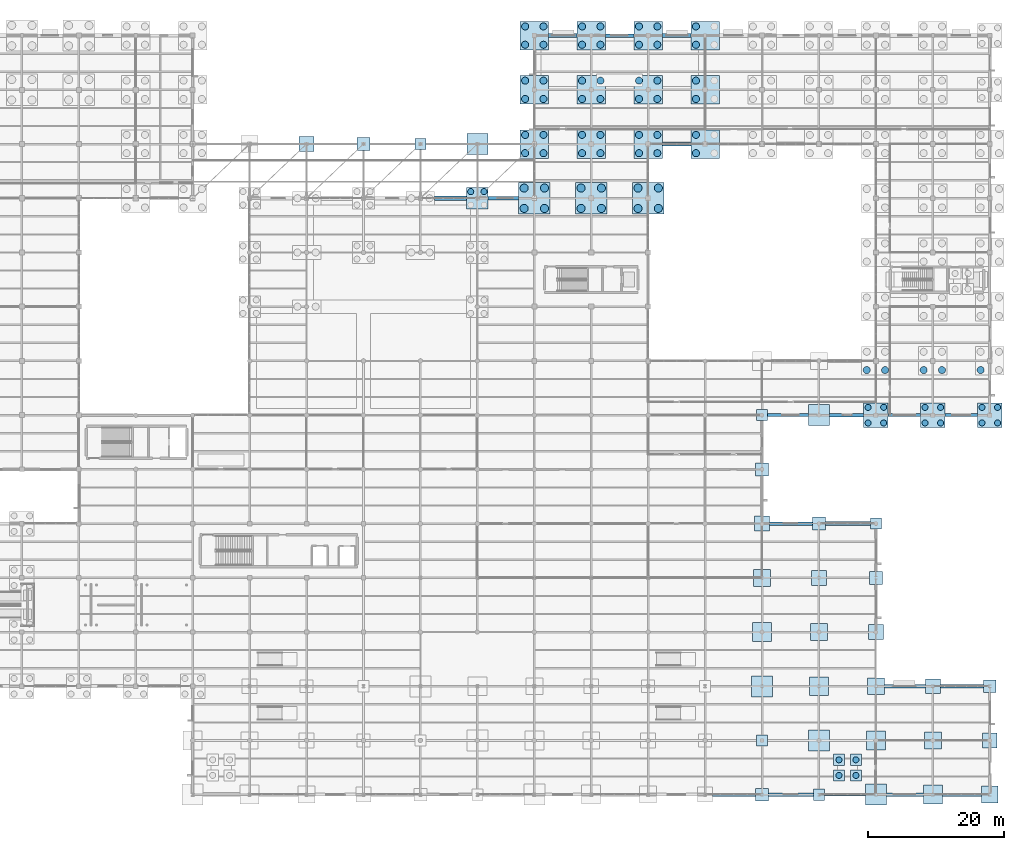
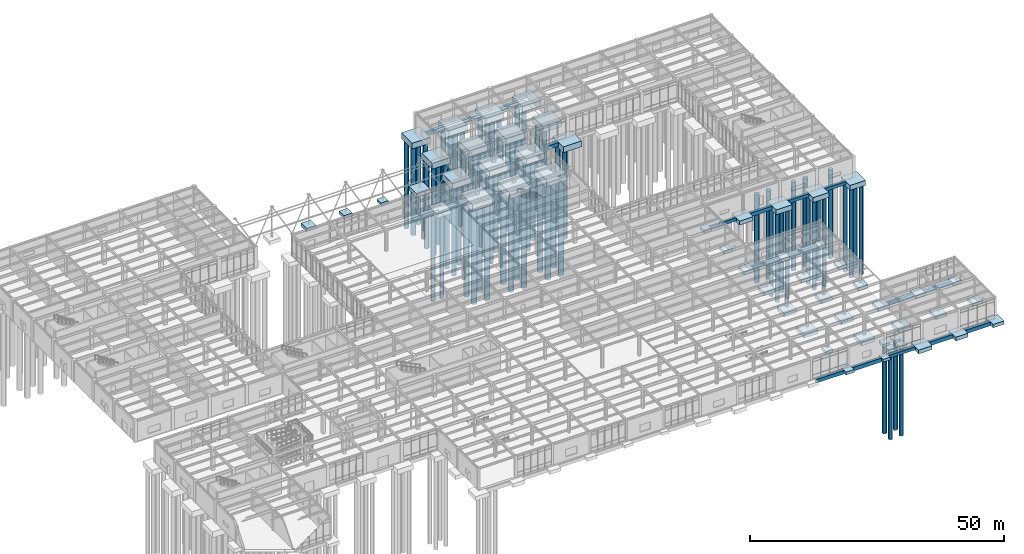
# One storey, part 3 of 138: 77 piles, 73 footings.
"""IFC4 building model written with IfcOpenShell, lengths in metres."""

from ifc_helpers import new_model, si_unit, direction, frame, origin, origin_2d, place, context, subcontext, project, spatial, rectangle, circle, extrude, material, material_profile, profile_set, type_object, element, save


model = new_model("IFC4")

# Units and contexts
model_context = context("Model", 3, precision=1e-05, world=origin(), true_north=direction((0.0, 1.0)))
body_context = subcontext(model_context, "Body", "Model", "MODEL_VIEW")
ifc_project = project(units=[si_unit("LENGTHUNIT", "METRE"), si_unit("AREAUNIT", "SQUARE_METRE"), si_unit("VOLUMEUNIT", "CUBIC_METRE"), si_unit("PLANEANGLEUNIT", "RADIAN"), si_unit("MASSUNIT", "GRAM", prefix="KILO")], contexts=[model_context])

# Site, building, storey
site_placement = place(None, origin())
site = spatial("IfcSite", under=ifc_project, at=site_placement, CompositionType="ELEMENT")
building_placement = place(site_placement, origin())
building = spatial("IfcBuilding", under=site, at=building_placement, Name="Kranzveld Transit Interchange", CompositionType="ELEMENT")
storey_placement = place(building_placement, origin())
storey = spatial("IfcBuildingStorey", under=building, at=storey_placement, Name="L00", CompositionType="ELEMENT", Elevation=0.0)

# Footings
ifc_material_1 = material(Name="Concrete C40/50", Category="concrete")
ifc_material_profile_1 = material_profile(ifc_material_1, rectangle(XDim=0.449951171875, YDim=0.75, at=origin_2d()), Name="RC 450x750")
ifc_profile_set_1 = profile_set([ifc_material_profile_1], Name="Concrete C40/50")
footing_type_1 = type_object("IfcFootingType", Name="Footing Beam 450x750 C40/50", PredefinedType="FOOTING_BEAM", material=ifc_profile_set_1)
for number, where, z_axis, x_axis, name in (
    (1, (135.22509765625, 56.0, -0.794921875), (1.0, 0.0, 0.0), (0.0, 1.0, 0.0), "Ground Tie Beam 17-18/H"),
    (2, (143.625, 0.0, -0.794921875), (1.0, 0.0, 0.0), (0.0, 1.0, 0.0), "Ground Tie Beam 18-19/A"),
):
    element("IfcFooting", number, at=place(storey_placement, frame(where, z_axis=z_axis, x_axis=x_axis)), inside=storey, type_object=footing_type_1, Name=name, PredefinedType="FOOTING_BEAM", context=body_context, shape_type="SweptSolid", body=[
        extrude(rectangle(XDim=0.449951171875, YDim=0.75, at=origin_2d()), origin(), (0.0, 0.0, 1.0), 6.02490234375),
    ])
for number, where, z_axis, x_axis, name in (
    (3, (153.0, 56.0, -0.794921875), (1.0, 0.0, 0.0), (0.0, 1.0, 0.0), "Ground Tie Beam 19-20/H"),
    (4, (161.39990234375, 56.0, -0.794921875), (1.0, 0.0, 0.0), (0.0, 1.0, 0.0), "Ground Tie Beam 20-21/H"),
):
    element("IfcFooting", number, at=place(storey_placement, frame(where, z_axis=z_axis, x_axis=x_axis)), inside=storey, type_object=footing_type_1, Name=name, PredefinedType="FOOTING_BEAM", context=body_context, shape_type="SweptSolid", body=[
        extrude(rectangle(XDim=0.449951171875, YDim=0.75, at=origin_2d()), origin(), (0.0, 0.0, 1.0), 4.800048828125),
    ])
ifc_material_2 = material(Name="Concrete C40/50", Category="concrete")
ifc_material_profile_2 = material_profile(ifc_material_2, rectangle(XDim=0.5, YDim=0.85009765625, at=origin_2d()), Name="RC 500x850")
ifc_profile_set_2 = profile_set([ifc_material_profile_2], Name="Concrete C40/50")
footing_type_2 = type_object("IfcFootingType", Name="Footing Beam 500x850 C40/50", PredefinedType="FOOTING_BEAM", material=ifc_profile_set_2)
footing_1_placement = place(storey_placement, frame((94.0, 88.0, -0.844970703125), z_axis=(1.0, 0.0, 0.0), x_axis=(0.0, 1.0, 0.0)))
element("IfcFooting", 5, at=footing_1_placement, inside=storey, type_object=footing_type_2, Name="Ground Tie Beam 12-13/M", PredefinedType="FOOTING_BEAM", context=body_context, shape_type="SweptSolid", body=[
    extrude(rectangle(XDim=0.5, YDim=0.85009765625, at=origin_2d()), origin(), (0.0, 0.0, 1.0), 4.5),
])
footing_2_placement = place(storey_placement, frame((111.300048828125, 112.0, -0.844970703125), z_axis=(1.0, 0.0, 0.0), x_axis=(0.0, 1.0, 0.0)))
element("IfcFooting", 6, at=footing_2_placement, inside=storey, type_object=footing_type_2, Name="Ground Tie Beam 14-15/Q", PredefinedType="FOOTING_BEAM", context=body_context, shape_type="SweptSolid", body=[
    extrude(rectangle(XDim=0.5, YDim=0.85009765625, at=origin_2d()), origin(), (0.0, 0.0, 1.0), 4.199951171875),
])
footing_3_placement = place(storey_placement, frame((127.10009765625, 0.0, -0.844970703125), z_axis=(1.0, 0.0, 0.0), x_axis=(0.0, 1.0, 0.0)))
element("IfcFooting", 7, at=footing_3_placement, inside=storey, type_object=footing_type_2, Name="Ground Tie Beam 16-17/A", PredefinedType="FOOTING_BEAM", context=body_context, shape_type="SweptSolid", body=[
    extrude(rectangle(XDim=0.5, YDim=0.85009765625, at=origin_2d()), origin(), (0.0, 0.0, 1.0), 6.349853515625),
])
footing_4_placement = place(storey_placement, frame((135.5, 40.0, -0.844970703125), z_axis=(1.0, 0.0, 0.0), x_axis=(0.0, 1.0, 0.0)))
element("IfcFooting", 8, at=footing_4_placement, inside=storey, type_object=footing_type_2, Name="Ground Tie Beam 17-18/F", PredefinedType="FOOTING_BEAM", context=body_context, shape_type="SweptSolid", body=[
    extrude(rectangle(XDim=0.5, YDim=0.85009765625, at=origin_2d()), origin(), (0.0, 0.0, 1.0), 6.35009765625),
])
footing_5_placement = place(storey_placement, frame((152.449951171875, 16.0, -0.844970703125), z_axis=(1.0, 0.0, 0.0), x_axis=(0.0, 1.0, 0.0)))
element("IfcFooting", 9, at=footing_5_placement, inside=storey, type_object=footing_type_2, Name="Ground Tie Beam 19-20/C", PredefinedType="FOOTING_BEAM", context=body_context, shape_type="SweptSolid", body=[
    extrude(rectangle(XDim=0.5, YDim=0.85009765625, at=origin_2d()), origin(), (0.0, 0.0, 1.0), 6.050048828125),
])
footing_6_placement = place(storey_placement, frame((160.699951171875, 16.0, -0.844970703125), z_axis=(1.0, 0.0, 0.0), x_axis=(0.0, 1.0, 0.0)))
element("IfcFooting", 10, at=footing_6_placement, inside=storey, type_object=footing_type_2, Name="Ground Tie Beam 20-21/C", PredefinedType="FOOTING_BEAM", context=body_context, shape_type="SweptSolid", body=[
    extrude(rectangle(XDim=0.5, YDim=0.85009765625, at=origin_2d()), origin(), (0.0, 0.0, 1.0), 6.35009765625),
])
ifc_material_3 = material(Name="Concrete C40/50", Category="concrete")
ifc_material_profile_3 = material_profile(ifc_material_3, rectangle(XDim=0.550048828125, YDim=0.89990234375, at=origin_2d()), Name="RC 550x900")
ifc_profile_set_3 = profile_set([ifc_material_profile_3], Name="Concrete C40/50")
footing_type_3 = type_object("IfcFootingType", Name="Footing Beam 550x900 C40/50", PredefinedType="FOOTING_BEAM", material=ifc_profile_set_3)
footing_7_placement = place(storey_placement, frame((119.699951171875, 112.0, -0.8701171875), z_axis=(1.0, 0.0, 0.0), x_axis=(0.0, 1.0, 0.0)))
element("IfcFooting", 11, at=footing_7_placement, inside=storey, type_object=footing_type_3, Name="Ground Tie Beam 15-16/Q", PredefinedType="FOOTING_BEAM", context=body_context, shape_type="SweptSolid", body=[
    extrude(rectangle(XDim=0.550048828125, YDim=0.89990234375, at=origin_2d()), origin(), (0.0, 0.0, 1.0), 4.199951171875),
])
footing_8_placement = place(storey_placement, frame((135.35009765625, 0.0, -0.8701171875), z_axis=(1.0, 0.0, 0.0), x_axis=(0.0, 1.0, 0.0)))
element("IfcFooting", 12, at=footing_8_placement, inside=storey, type_object=footing_type_3, Name="Ground Tie Beam 17-18/A", PredefinedType="FOOTING_BEAM", context=body_context, shape_type="SweptSolid", body=[
    extrude(rectangle(XDim=0.550048828125, YDim=0.89990234375, at=origin_2d()), origin(), (0.0, 0.0, 1.0), 6.625),
])
footing_9_placement = place(storey_placement, frame((144.35009765625, 56.0, -0.8701171875), z_axis=(1.0, 0.0, 0.0), x_axis=(0.0, 1.0, 0.0)))
element("IfcFooting", 13, at=footing_9_placement, inside=storey, type_object=footing_type_3, Name="Ground Tie Beam 18-19/H", PredefinedType="FOOTING_BEAM", context=body_context, shape_type="SweptSolid", body=[
    extrude(rectangle(XDim=0.550048828125, YDim=0.89990234375, at=origin_2d()), origin(), (0.0, 0.0, 1.0), 5.0498046875),
])
footing_10_placement = place(storey_placement, frame((152.75, 0.0, -0.8701171875), z_axis=(1.0, 0.0, 0.0), x_axis=(0.0, 1.0, 0.0)))
element("IfcFooting", 14, at=footing_10_placement, inside=storey, type_object=footing_type_3, Name="Ground Tie Beam 19-20/A", PredefinedType="FOOTING_BEAM", context=body_context, shape_type="SweptSolid", body=[
    extrude(rectangle(XDim=0.550048828125, YDim=0.89990234375, at=origin_2d()), origin(), (0.0, 0.0, 1.0), 5.449951171875),
])
footing_11_placement = place(storey_placement, frame((161.0, 0.0, -0.8701171875), z_axis=(1.0, 0.0, 0.0), x_axis=(0.0, 1.0, 0.0)))
element("IfcFooting", 15, at=footing_11_placement, inside=storey, type_object=footing_type_3, Name="Ground Tie Beam 20-21/A", PredefinedType="FOOTING_BEAM", context=body_context, shape_type="SweptSolid", body=[
    extrude(rectangle(XDim=0.550048828125, YDim=0.89990234375, at=origin_2d()), origin(), (0.0, 0.0, 1.0), 5.75),
])
ifc_material_4 = material(Name="Concrete C40/50", Category="concrete")
ifc_material_profile_4 = material_profile(ifc_material_4, rectangle(XDim=0.60009765625, YDim=0.949951171875, at=origin_2d()), Name="RC 600x950")
ifc_profile_set_4 = profile_set([ifc_material_profile_4], Name="Concrete C40/50")
footing_type_4 = type_object("IfcFootingType", Name="Footing Beam 600x950 C40/50", PredefinedType="FOOTING_BEAM", material=ifc_profile_set_4)
footing_12_placement = place(storey_placement, frame((86.10009765625, 88.0, -0.89501953125), z_axis=(1.0, 0.0, 0.0), x_axis=(0.0, 1.0, 0.0)))
element("IfcFooting", 16, at=footing_12_placement, inside=storey, type_object=footing_type_4, Name="Ground Tie Beam 11-12/M", PredefinedType="FOOTING_BEAM", context=body_context, shape_type="SweptSolid", body=[
    extrude(rectangle(XDim=0.60009765625, YDim=0.949951171875, at=origin_2d()), origin(), (0.0, 0.0, 1.0), 4.699951171875),
])
footing_13_placement = place(storey_placement, frame((102.89990234375, 112.0, -0.89501953125), z_axis=(1.0, 0.0, 0.0), x_axis=(0.0, 1.0, 0.0)))
element("IfcFooting", 17, at=footing_13_placement, inside=storey, type_object=footing_type_4, Name="Ground Tie Beam 13-14/Q", PredefinedType="FOOTING_BEAM", context=body_context, shape_type="SweptSolid", body=[
    extrude(rectangle(XDim=0.60009765625, YDim=0.949951171875, at=origin_2d()), origin(), (0.0, 0.0, 1.0), 4.2001953125),
])
footing_14_placement = place(storey_placement, frame((119.699951171875, 96.0, -0.89501953125), z_axis=(1.0, 0.0, 0.0), x_axis=(0.0, 1.0, 0.0)))
element("IfcFooting", 18, at=footing_14_placement, inside=storey, type_object=footing_type_4, Name="Ground Tie Beam 15-16/N", PredefinedType="FOOTING_BEAM", context=body_context, shape_type="SweptSolid", body=[
    extrude(rectangle(XDim=0.60009765625, YDim=0.949951171875, at=origin_2d()), origin(), (0.0, 0.0, 1.0), 4.199951171875),
])
footing_15_placement = place(storey_placement, frame((143.75, 40.0, -0.89501953125), z_axis=(1.0, 0.0, 0.0), x_axis=(0.0, 1.0, 0.0)))
element("IfcFooting", 19, at=footing_15_placement, inside=storey, type_object=footing_type_4, Name="Ground Tie Beam 18-19/F", PredefinedType="FOOTING_BEAM", context=body_context, shape_type="SweptSolid", body=[
    extrude(rectangle(XDim=0.60009765625, YDim=0.949951171875, at=origin_2d()), origin(), (0.0, 0.0, 1.0), 6.625),
])
ifc_material_5 = material(Name="Concrete C40/50", Category="concrete")
footing_type_5 = type_object("IfcFootingType", Name="Pad Footing 1650x1650x650 C40/50", PredefinedType="PAD_FOOTING", material=ifc_material_5)
for number, where, z_axis, x_axis, name in (
    (20, (145.75, 2.85009765625, -1.669921875), (0.0, 0.0, 1.0), (1.0, 0.0, 0.0), "PIT-S2 Corner Pad Footing 1"),
    (21, (148.25, 2.85009765625, -1.669921875), (0.0, 0.0, 1.0), (1.0, 0.0, 0.0), "PIT-S2 Corner Pad Footing 2"),
    (22, (145.75, 5.14990234375, -1.669921875), (0.0, 0.0, 1.0), (1.0, 0.0, 0.0), "PIT-S2 Corner Pad Footing 3"),
    (23, (148.25, 5.14990234375, -1.669921875), (0.0, 0.0, 1.0), (1.0, 0.0, 0.0), "PIT-S2 Corner Pad Footing 4"),
    (24, (84.0, 96.0, -1.070068359375), (0.0, 0.0, 1.0), (1.0, 0.0, 0.0), "Pad Footing 11/N"),
    (25, (134.39990234375, 8.0, -1.070068359375), (0.0, 0.0, 1.0), (1.0, 0.0, 0.0), "Pad Footing 17/B"),
    (26, (134.39990234375, 56.0, -1.070068359375), (0.0, 0.0, 1.0), (1.0, 0.0, 0.0), "Pad Footing 17/H"),
    (27, (142.800048828125, 0.0, -1.070068359375), (0.0, 0.0, 1.0), (1.0, 0.0, 0.0), "Pad Footing 18/A"),
    (28, (151.199951171875, 40.0, -1.070068359375), (0.0, 0.0, 1.0), (1.0, 0.0, 0.0), "Pad Footing 19/F"),
):
    element("IfcFooting", number, at=place(storey_placement, frame(where, z_axis=z_axis, x_axis=x_axis)), inside=storey, type_object=footing_type_5, Name=name, PredefinedType="PAD_FOOTING", context=body_context, shape_type="SweptSolid", body=[
        extrude(rectangle(XDim=1.64990234375, YDim=1.64990234375, at=origin_2d()), origin(), (0.0, 0.0, 1.0), 0.64990234375),
    ])
ifc_material_6 = material(Name="Concrete C40/50", Category="concrete")
footing_type_6 = type_object("IfcFootingType", Name="Pad Footing 1900x1900x700 C40/50", PredefinedType="PAD_FOOTING", material=ifc_material_6)
for number, where, z_axis, x_axis, name in (
    (29, (75.60009765625, 96.0, -1.1201171875), (0.0, 0.0, 1.0), (1.0, 0.0, 0.0), "Pad Footing 10/N"),
    (30, (134.39990234375, 0.0, -1.1201171875), (0.0, 0.0, 1.0), (1.0, 0.0, 0.0), "Pad Footing 17/A"),
    (31, (134.39990234375, 48.0, -1.1201171875), (0.0, 0.0, 1.0), (1.0, 0.0, 0.0), "Pad Footing 17/G"),
    (32, (142.800048828125, 40.0, -1.1201171875), (0.0, 0.0, 1.0), (1.0, 0.0, 0.0), "Pad Footing 18/F"),
    (33, (151.199951171875, 32.0, -1.1201171875), (0.0, 0.0, 1.0), (1.0, 0.0, 0.0), "Pad Footing 19/E"),
    (34, (168.0, 16.0, -1.1201171875), (0.0, 0.0, 1.0), (1.0, 0.0, 0.0), "Pad Footing 21/C"),
):
    element("IfcFooting", number, at=place(storey_placement, frame(where, z_axis=z_axis, x_axis=x_axis)), inside=storey, type_object=footing_type_6, Name=name, PredefinedType="PAD_FOOTING", context=body_context, shape_type="SweptSolid", body=[
        extrude(rectangle(XDim=1.89990234375, YDim=1.89990234375, at=origin_2d()), origin(), (0.0, 0.0, 1.0), 0.699951171875),
    ])
ifc_material_7 = material(Name="Concrete C40/50", Category="concrete")
footing_type_7 = type_object("IfcFootingType", Name="Pad Footing 2200x2200x760 C40/50", PredefinedType="PAD_FOOTING", material=ifc_material_7)
for number, where, z_axis, x_axis, name in (
    (35, (67.199951171875, 96.0, -1.18017578125), (0.0, 0.0, 1.0), (1.0, 0.0, 0.0), "Pad Footing 09/N"),
    (36, (134.39990234375, 40.0, -1.18017578125), (0.0, 0.0, 1.0), (1.0, 0.0, 0.0), "Pad Footing 17/F"),
    (37, (142.800048828125, 32.0, -1.18017578125), (0.0, 0.0, 1.0), (1.0, 0.0, 0.0), "Pad Footing 18/E"),
    (38, (151.199951171875, 24.0, -1.18017578125), (0.0, 0.0, 1.0), (1.0, 0.0, 0.0), "Pad Footing 19/D"),
    (39, (159.60009765625, 16.0, -1.18017578125), (0.0, 0.0, 1.0), (1.0, 0.0, 0.0), "Pad Footing 20/C"),
    (40, (168.0, 8.0, -1.18017578125), (0.0, 0.0, 1.0), (1.0, 0.0, 0.0), "Pad Footing 21/B"),
):
    element("IfcFooting", number, at=place(storey_placement, frame(where, z_axis=z_axis, x_axis=x_axis)), inside=storey, type_object=footing_type_7, Name=name, PredefinedType="PAD_FOOTING", context=body_context, shape_type="SweptSolid", body=[
        extrude(rectangle(XDim=2.199951171875, YDim=2.199951171875, at=origin_2d()), origin(), (0.0, 0.0, 1.0), 0.760009765625),
    ])
ifc_material_8 = material(Name="Concrete C40/50", Category="concrete")
footing_type_8 = type_object("IfcFootingType", Name="Pad Footing 2500x2500x820 C40/50", PredefinedType="PAD_FOOTING", material=ifc_material_8)
for number, where, z_axis, x_axis, name in (
    (41, (134.39990234375, 32.0, -1.240234375), (0.0, 0.0, 1.0), (1.0, 0.0, 0.0), "Pad Footing 17/E"),
    (42, (142.800048828125, 24.0, -1.240234375), (0.0, 0.0, 1.0), (1.0, 0.0, 0.0), "Pad Footing 18/D"),
    (43, (151.199951171875, 16.0, -1.240234375), (0.0, 0.0, 1.0), (1.0, 0.0, 0.0), "Pad Footing 19/C"),
    (44, (159.60009765625, 8.0, -1.240234375), (0.0, 0.0, 1.0), (1.0, 0.0, 0.0), "Pad Footing 20/B"),
    (45, (168.0, 0.0, -1.240234375), (0.0, 0.0, 1.0), (1.0, 0.0, 0.0), "Pad Footing 21/A"),
):
    element("IfcFooting", number, at=place(storey_placement, frame(where, z_axis=z_axis, x_axis=x_axis)), inside=storey, type_object=footing_type_8, Name=name, PredefinedType="PAD_FOOTING", context=body_context, shape_type="SweptSolid", body=[
        extrude(rectangle(XDim=2.5, YDim=2.5, at=origin_2d()), origin(), (0.0, 0.0, 1.0), 0.820068359375),
    ])
ifc_material_9 = material(Name="Concrete C40/50", Category="concrete")
footing_type_9 = type_object("IfcFootingType", Name="Pad Footing 2800x2800x900 C40/50", PredefinedType="PAD_FOOTING", material=ifc_material_9)
for number, where, z_axis, x_axis, name in (
    (46, (134.39990234375, 24.0, -1.320068359375), (0.0, 0.0, 1.0), (1.0, 0.0, 0.0), "Pad Footing 17/D"),
    (47, (142.800048828125, 16.0, -1.320068359375), (0.0, 0.0, 1.0), (1.0, 0.0, 0.0), "Pad Footing 18/C"),
    (48, (151.199951171875, 8.0, -1.320068359375), (0.0, 0.0, 1.0), (1.0, 0.0, 0.0), "Pad Footing 19/B"),
    (49, (159.60009765625, 0.0, -1.320068359375), (0.0, 0.0, 1.0), (1.0, 0.0, 0.0), "Pad Footing 20/A"),
):
    element("IfcFooting", number, at=place(storey_placement, frame(where, z_axis=z_axis, x_axis=x_axis)), inside=storey, type_object=footing_type_9, Name=name, PredefinedType="PAD_FOOTING", context=body_context, shape_type="SweptSolid", body=[
        extrude(rectangle(XDim=2.800048828125, YDim=2.800048828125, at=origin_2d()), origin(), (0.0, 0.0, 1.0), 0.89990234375),
    ])
ifc_material_10 = material(Name="Concrete C40/50", Category="concrete")
footing_type_10 = type_object("IfcFootingType", Name="Pad Footing 3100x3100x950 C40/50", PredefinedType="PAD_FOOTING", material=ifc_material_10)
for number, where, z_axis, x_axis, name in (
    (50, (92.39990234375, 96.0, -1.3701171875), (0.0, 0.0, 1.0), (1.0, 0.0, 0.0), "Pad Footing 12/N"),
    (51, (134.39990234375, 16.0, -1.3701171875), (0.0, 0.0, 1.0), (1.0, 0.0, 0.0), "Pad Footing 17/C"),
    (52, (142.800048828125, 8.0, -1.3701171875), (0.0, 0.0, 1.0), (1.0, 0.0, 0.0), "Pad Footing 18/B"),
    (53, (142.800048828125, 56.0, -1.3701171875), (0.0, 0.0, 1.0), (1.0, 0.0, 0.0), "Pad Footing 18/H"),
    (54, (151.199951171875, 0.0, -1.3701171875), (0.0, 0.0, 1.0), (1.0, 0.0, 0.0), "Pad Footing 19/A"),
):
    element("IfcFooting", number, at=place(storey_placement, frame(where, z_axis=z_axis, x_axis=x_axis)), inside=storey, type_object=footing_type_10, Name=name, PredefinedType="PAD_FOOTING", context=body_context, shape_type="SweptSolid", body=[
        extrude(rectangle(XDim=3.10009765625, YDim=3.10009765625, at=origin_2d()), origin(), (0.0, 0.0, 1.0), 0.949951171875),
    ])

# Piles
ifc_material_11 = material(Name="Concrete C40/50", Category="concrete")
ifc_material_profile_5 = material_profile(ifc_material_11, circle(Radius=0.52490234375, at=origin_2d()), Name="BORED PILE 1050")
ifc_profile_set_5 = profile_set([ifc_material_profile_5], Name="Concrete C40/50")
pile_type_1 = type_object("IfcPileType", Name="Pile Bored 1050 C40/50", PredefinedType="BORED", material=ifc_profile_set_5)
for number, where, z_axis, x_axis, name in (
    (55, (99.449951171875, 94.64990234375, -1.719970703125), (0.0, 0.0, -1.0), (1.0, 0.0, 0.0), "Bored Pile 13/N-P1"),
    (56, (102.14990234375, 94.64990234375, -1.719970703125), (0.0, 0.0, -1.0), (1.0, 0.0, 0.0), "Bored Pile 13/N-P2"),
    (57, (99.449951171875, 97.35009765625, -1.719970703125), (0.0, 0.0, -1.0), (1.0, 0.0, 0.0), "Bored Pile 13/N-P3"),
    (58, (102.14990234375, 97.35009765625, -1.719970703125), (0.0, 0.0, -1.0), (1.0, 0.0, 0.0), "Bored Pile 13/N-P4"),
    (59, (99.449951171875, 102.64990234375, -1.719970703125), (0.0, 0.0, -1.0), (1.0, 0.0, 0.0), "Bored Pile 13/P-P1"),
    (60, (102.14990234375, 102.64990234375, -1.719970703125), (0.0, 0.0, -1.0), (1.0, 0.0, 0.0), "Bored Pile 13/P-P2"),
    (61, (99.449951171875, 105.35009765625, -1.719970703125), (0.0, 0.0, -1.0), (1.0, 0.0, 0.0), "Bored Pile 13/P-P3"),
    (62, (102.14990234375, 105.35009765625, -1.719970703125), (0.0, 0.0, -1.0), (1.0, 0.0, 0.0), "Bored Pile 13/P-P4"),
    (63, (99.449951171875, 110.64990234375, -1.719970703125), (0.0, 0.0, -1.0), (1.0, 0.0, 0.0), "Bored Pile 13/Q-P1"),
    (64, (102.14990234375, 110.64990234375, -1.719970703125), (0.0, 0.0, -1.0), (1.0, 0.0, 0.0), "Bored Pile 13/Q-P2"),
    (65, (99.449951171875, 113.35009765625, -1.719970703125), (0.0, 0.0, -1.0), (1.0, 0.0, 0.0), "Bored Pile 13/Q-P3"),
    (66, (102.14990234375, 113.35009765625, -1.719970703125), (0.0, 0.0, -1.0), (1.0, 0.0, 0.0), "Bored Pile 13/Q-P4"),
    (67, (107.85009765625, 94.64990234375, -1.719970703125), (0.0, 0.0, -1.0), (1.0, 0.0, 0.0), "Bored Pile 14/N-P1"),
    (68, (110.550048828125, 94.64990234375, -1.719970703125), (0.0, 0.0, -1.0), (1.0, 0.0, 0.0), "Bored Pile 14/N-P2"),
    (69, (107.85009765625, 97.35009765625, -1.719970703125), (0.0, 0.0, -1.0), (1.0, 0.0, 0.0), "Bored Pile 14/N-P3"),
    (70, (110.550048828125, 97.35009765625, -1.719970703125), (0.0, 0.0, -1.0), (1.0, 0.0, 0.0), "Bored Pile 14/N-P4"),
    (71, (107.85009765625, 102.64990234375, -1.719970703125), (0.0, 0.0, -1.0), (1.0, 0.0, 0.0), "Bored Pile 14/P-P1"),
    (72, (110.550048828125, 102.64990234375, -1.719970703125), (0.0, 0.0, -1.0), (1.0, 0.0, 0.0), "Bored Pile 14/P-P2"),
    (73, (107.85009765625, 105.35009765625, -1.719970703125), (0.0, 0.0, -1.0), (1.0, 0.0, 0.0), "Bored Pile 14/P-P3"),
    (74, (110.550048828125, 105.35009765625, -1.719970703125), (0.0, 0.0, -1.0), (1.0, 0.0, 0.0), "Bored Pile 14/P-P4"),
    (75, (107.85009765625, 110.64990234375, -1.719970703125), (0.0, 0.0, -1.0), (1.0, 0.0, 0.0), "Bored Pile 14/Q-P1"),
    (76, (110.550048828125, 110.64990234375, -1.719970703125), (0.0, 0.0, -1.0), (1.0, 0.0, 0.0), "Bored Pile 14/Q-P2"),
    (77, (107.85009765625, 113.35009765625, -1.719970703125), (0.0, 0.0, -1.0), (1.0, 0.0, 0.0), "Bored Pile 14/Q-P3"),
    (78, (110.550048828125, 113.35009765625, -1.719970703125), (0.0, 0.0, -1.0), (1.0, 0.0, 0.0), "Bored Pile 14/Q-P4"),
    (79, (116.25, 94.64990234375, -1.719970703125), (0.0, 0.0, -1.0), (1.0, 0.0, 0.0), "Bored Pile 15/N-P1"),
    (80, (118.949951171875, 94.64990234375, -1.719970703125), (0.0, 0.0, -1.0), (1.0, 0.0, 0.0), "Bored Pile 15/N-P2"),
    (81, (116.25, 97.35009765625, -1.719970703125), (0.0, 0.0, -1.0), (1.0, 0.0, 0.0), "Bored Pile 15/N-P3"),
    (82, (118.949951171875, 97.35009765625, -1.719970703125), (0.0, 0.0, -1.0), (1.0, 0.0, 0.0), "Bored Pile 15/N-P4"),
    (83, (116.25, 102.64990234375, -1.719970703125), (0.0, 0.0, -1.0), (1.0, 0.0, 0.0), "Bored Pile 15/P-P1"),
    (84, (118.949951171875, 102.64990234375, -1.719970703125), (0.0, 0.0, -1.0), (1.0, 0.0, 0.0), "Bored Pile 15/P-P2"),
    (85, (116.25, 105.35009765625, -1.719970703125), (0.0, 0.0, -1.0), (1.0, 0.0, 0.0), "Bored Pile 15/P-P3"),
    (86, (118.949951171875, 105.35009765625, -1.719970703125), (0.0, 0.0, -1.0), (1.0, 0.0, 0.0), "Bored Pile 15/P-P4"),
    (87, (116.25, 110.64990234375, -1.719970703125), (0.0, 0.0, -1.0), (1.0, 0.0, 0.0), "Bored Pile 15/Q-P1"),
    (88, (118.949951171875, 110.64990234375, -1.719970703125), (0.0, 0.0, -1.0), (1.0, 0.0, 0.0), "Bored Pile 15/Q-P2"),
    (89, (116.25, 113.35009765625, -1.719970703125), (0.0, 0.0, -1.0), (1.0, 0.0, 0.0), "Bored Pile 15/Q-P3"),
    (90, (118.949951171875, 113.35009765625, -1.719970703125), (0.0, 0.0, -1.0), (1.0, 0.0, 0.0), "Bored Pile 15/Q-P4"),
    (91, (124.64990234375, 94.64990234375, -1.719970703125), (0.0, 0.0, -1.0), (1.0, 0.0, 0.0), "Bored Pile 16/N-P1"),
    (92, (124.64990234375, 97.35009765625, -1.719970703125), (0.0, 0.0, -1.0), (1.0, 0.0, 0.0), "Bored Pile 16/N-P3"),
    (93, (124.64990234375, 102.64990234375, -1.719970703125), (0.0, 0.0, -1.0), (1.0, 0.0, 0.0), "Bored Pile 16/P-P1"),
    (94, (124.64990234375, 105.35009765625, -1.719970703125), (0.0, 0.0, -1.0), (1.0, 0.0, 0.0), "Bored Pile 16/P-P3"),
    (95, (124.64990234375, 110.64990234375, -1.719970703125), (0.0, 0.0, -1.0), (1.0, 0.0, 0.0), "Bored Pile 16/Q-P1"),
    (96, (124.64990234375, 113.35009765625, -1.719970703125), (0.0, 0.0, -1.0), (1.0, 0.0, 0.0), "Bored Pile 16/Q-P3"),
    (97, (149.85009765625, 62.64990234375, -1.719970703125), (0.0, 0.0, -1.0), (1.0, 0.0, 0.0), "Bored Pile 19/J-P1"),
    (98, (152.550048828125, 62.64990234375, -1.719970703125), (0.0, 0.0, -1.0), (1.0, 0.0, 0.0), "Bored Pile 19/J-P2"),
    (99, (158.25, 62.64990234375, -1.719970703125), (0.0, 0.0, -1.0), (1.0, 0.0, 0.0), "Bored Pile 20/J-P1"),
    (100, (160.949951171875, 62.64990234375, -1.719970703125), (0.0, 0.0, -1.0), (1.0, 0.0, 0.0), "Bored Pile 20/J-P2"),
    (101, (166.64990234375, 62.64990234375, -1.719970703125), (0.0, 0.0, -1.0), (1.0, 0.0, 0.0), "Bored Pile 21/J-P1"),
):
    element("IfcPile", number, at=place(storey_placement, frame(where, z_axis=z_axis, x_axis=x_axis)), inside=storey, type_object=pile_type_1, Name=name, PredefinedType="BORED", context=body_context, shape_type="SweptSolid", body=[
        extrude(circle(Radius=0.52490234375, at=origin_2d()), origin(), (0.0, 0.0, 1.0), 21.280029296875),
    ])
ifc_material_12 = material(Name="Concrete C40/50", Category="concrete")
ifc_material_profile_6 = material_profile(ifc_material_12, circle(Radius=0.60009765625, at=origin_2d()), Name="BORED PILE 1200")
ifc_profile_set_6 = profile_set([ifc_material_profile_6], Name="Concrete C40/50")
pile_type_2 = type_object("IfcPileType", Name="Pile Bored 1200 C40/50", PredefinedType="BORED", material=ifc_profile_set_6)
for number, where, z_axis, x_axis, name in (
    (102, (99.300048828125, 86.5, -1.919921875), (0.0, 0.0, -1.0), (1.0, 0.0, 0.0), "Bored Pile 13/M-P1"),
    (103, (102.300048828125, 86.5, -1.919921875), (0.0, 0.0, -1.0), (1.0, 0.0, 0.0), "Bored Pile 13/M-P2"),
    (104, (99.300048828125, 89.5, -1.919921875), (0.0, 0.0, -1.0), (1.0, 0.0, 0.0), "Bored Pile 13/M-P3"),
    (105, (102.300048828125, 89.5, -1.919921875), (0.0, 0.0, -1.0), (1.0, 0.0, 0.0), "Bored Pile 13/M-P4"),
    (106, (107.699951171875, 86.5, -1.919921875), (0.0, 0.0, -1.0), (1.0, 0.0, 0.0), "Bored Pile 14/M-P1"),
    (107, (110.699951171875, 86.5, -1.919921875), (0.0, 0.0, -1.0), (1.0, 0.0, 0.0), "Bored Pile 14/M-P2"),
    (108, (107.699951171875, 89.5, -1.919921875), (0.0, 0.0, -1.0), (1.0, 0.0, 0.0), "Bored Pile 14/M-P3"),
    (109, (110.699951171875, 89.5, -1.919921875), (0.0, 0.0, -1.0), (1.0, 0.0, 0.0), "Bored Pile 14/M-P4"),
    (110, (116.10009765625, 86.5, -1.919921875), (0.0, 0.0, -1.0), (1.0, 0.0, 0.0), "Bored Pile 15/M-P1"),
    (111, (119.10009765625, 86.5, -1.919921875), (0.0, 0.0, -1.0), (1.0, 0.0, 0.0), "Bored Pile 15/M-P2"),
    (112, (116.10009765625, 89.5, -1.919921875), (0.0, 0.0, -1.0), (1.0, 0.0, 0.0), "Bored Pile 15/M-P3"),
    (113, (119.10009765625, 89.5, -1.919921875), (0.0, 0.0, -1.0), (1.0, 0.0, 0.0), "Bored Pile 15/M-P4"),
):
    element("IfcPile", number, at=place(storey_placement, frame(where, z_axis=z_axis, x_axis=x_axis)), inside=storey, type_object=pile_type_2, Name=name, PredefinedType="BORED", context=body_context, shape_type="SweptSolid", body=[
        extrude(circle(Radius=0.60009765625, at=origin_2d()), origin(), (0.0, 0.0, 1.0), 22.8798828125),
    ])
ifc_material_13 = material(Name="Concrete C40/50", Category="concrete")
ifc_material_profile_7 = material_profile(ifc_material_13, circle(Radius=0.449951171875, at=origin_2d()), Name="BORED PILE 900")
ifc_profile_set_7 = profile_set([ifc_material_profile_7], Name="Concrete C40/50")
pile_type_3 = type_object("IfcPileType", Name="Pile Bored 900 C40/50", PredefinedType="BORED", material=ifc_profile_set_7)
for number, where, z_axis, x_axis, name in (
    (114, (145.75, 2.85009765625, -1.570068359375), (0.0, 0.0, -1.0), (1.0, 0.0, 0.0), "Bored Pile PIT-S2-P1"),
    (115, (148.25, 2.85009765625, -1.570068359375), (0.0, 0.0, -1.0), (1.0, 0.0, 0.0), "Bored Pile PIT-S2-P2"),
    (116, (145.75, 5.14990234375, -1.570068359375), (0.0, 0.0, -1.0), (1.0, 0.0, 0.0), "Bored Pile PIT-S2-P3"),
    (117, (148.25, 5.14990234375, -1.570068359375), (0.0, 0.0, -1.0), (1.0, 0.0, 0.0), "Bored Pile PIT-S2-P4"),
):
    element("IfcPile", number, at=place(storey_placement, frame(where, z_axis=z_axis, x_axis=x_axis)), inside=storey, type_object=pile_type_3, Name=name, PredefinedType="BORED", context=body_context, shape_type="SweptSolid", body=[
        extrude(circle(Radius=0.449951171875, at=origin_2d()), origin(), (0.0, 0.0, 1.0), 21.429931640625),
    ])
for number, where, z_axis, x_axis, name in (
    (118, (91.419921875, 88.97998046875, -1.419921875), (0.0, 0.0, -1.0), (1.0, 0.0, 0.0), "Bored Pile 12/M-P3"),
    (119, (93.3798828125, 88.97998046875, -1.419921875), (0.0, 0.0, -1.0), (1.0, 0.0, 0.0), "Bored Pile 12/M-P4"),
):
    element("IfcPile", number, at=place(storey_placement, frame(where, z_axis=z_axis, x_axis=x_axis)), inside=storey, type_object=pile_type_3, Name=name, PredefinedType="BORED", context=body_context, shape_type="SweptSolid", body=[
        extrude(circle(Radius=0.449951171875, at=origin_2d()), origin(), (0.0, 0.0, 1.0), 21.580078125),
    ])
for number, where, z_axis, x_axis, name in (
    (120, (150.050048828125, 54.85009765625, -1.52001953125), (0.0, 0.0, -1.0), (1.0, 0.0, 0.0), "Bored Pile 19/H-P1"),
    (121, (152.35009765625, 54.85009765625, -1.52001953125), (0.0, 0.0, -1.0), (1.0, 0.0, 0.0), "Bored Pile 19/H-P2"),
    (122, (150.050048828125, 57.14990234375, -1.52001953125), (0.0, 0.0, -1.0), (1.0, 0.0, 0.0), "Bored Pile 19/H-P3"),
    (123, (152.35009765625, 57.14990234375, -1.52001953125), (0.0, 0.0, -1.0), (1.0, 0.0, 0.0), "Bored Pile 19/H-P4"),
    (124, (158.449951171875, 54.85009765625, -1.52001953125), (0.0, 0.0, -1.0), (1.0, 0.0, 0.0), "Bored Pile 20/H-P1"),
    (125, (160.75, 54.85009765625, -1.52001953125), (0.0, 0.0, -1.0), (1.0, 0.0, 0.0), "Bored Pile 20/H-P2"),
    (126, (158.449951171875, 57.14990234375, -1.52001953125), (0.0, 0.0, -1.0), (1.0, 0.0, 0.0), "Bored Pile 20/H-P3"),
    (127, (160.75, 57.14990234375, -1.52001953125), (0.0, 0.0, -1.0), (1.0, 0.0, 0.0), "Bored Pile 20/H-P4"),
    (128, (166.85009765625, 54.85009765625, -1.52001953125), (0.0, 0.0, -1.0), (1.0, 0.0, 0.0), "Bored Pile 21/H-P1"),
    (129, (169.14990234375, 54.85009765625, -1.52001953125), (0.0, 0.0, -1.0), (1.0, 0.0, 0.0), "Bored Pile 21/H-P2"),
    (130, (166.85009765625, 57.14990234375, -1.52001953125), (0.0, 0.0, -1.0), (1.0, 0.0, 0.0), "Bored Pile 21/H-P3"),
    (131, (169.14990234375, 57.14990234375, -1.52001953125), (0.0, 0.0, -1.0), (1.0, 0.0, 0.0), "Bored Pile 21/H-P4"),
):
    element("IfcPile", number, at=place(storey_placement, frame(where, z_axis=z_axis, x_axis=x_axis)), inside=storey, type_object=pile_type_3, Name=name, PredefinedType="BORED", context=body_context, shape_type="SweptSolid", body=[
        extrude(circle(Radius=0.449951171875, at=origin_2d()), origin(), (0.0, 0.0, 1.0), 21.47998046875),
    ])

# Footings
ifc_material_14 = material(Name="Concrete C40/50", Category="concrete")
footing_type_11 = type_object("IfcFootingType", Name="Pile Cap 3200x3200x1100 C40/50", PredefinedType="PILE_CAP", material=ifc_material_14)
footing_16_placement = place(storey_placement, frame((92.39990234375, 88.0, -1.52001953125), z_axis=(0.0, 0.0, 1.0), x_axis=(1.0, 0.0, 0.0)))
element("IfcFooting", 132, at=footing_16_placement, inside=storey, type_object=footing_type_11, Name="Pile Cap 12/M", PredefinedType="PILE_CAP", context=body_context, shape_type="SweptSolid", body=[
    extrude(rectangle(XDim=3.199951171875, YDim=3.199951171875, at=origin_2d()), origin(), (0.0, 0.0, 1.0), 1.10009765625),
])
ifc_material_15 = material(Name="Concrete C40/50", Category="concrete")
footing_type_12 = type_object("IfcFootingType", Name="Pile Cap 3600x3600x1200 C40/50", PredefinedType="PILE_CAP", material=ifc_material_15)
for number, where, z_axis, x_axis, name in (
    (133, (151.199951171875, 56.0, -1.6201171875), (0.0, 0.0, 1.0), (1.0, 0.0, 0.0), "Pile Cap 19/H"),
    (134, (159.60009765625, 56.0, -1.6201171875), (0.0, 0.0, 1.0), (1.0, 0.0, 0.0), "Pile Cap 20/H"),
    (135, (168.0, 56.0, -1.6201171875), (0.0, 0.0, 1.0), (1.0, 0.0, 0.0), "Pile Cap 21/H"),
):
    element("IfcFooting", number, at=place(storey_placement, frame(where, z_axis=z_axis, x_axis=x_axis)), inside=storey, type_object=footing_type_12, Name=name, PredefinedType="PILE_CAP", context=body_context, shape_type="SweptSolid", body=[
        extrude(rectangle(XDim=3.60009765625, YDim=3.60009765625, at=origin_2d()), origin(), (0.0, 0.0, 1.0), 1.199951171875),
    ])
ifc_material_16 = material(Name="Concrete C40/50", Category="concrete")
footing_type_13 = type_object("IfcFootingType", Name="Pile Cap 4200x4200x1400 C40/50", PredefinedType="PILE_CAP", material=ifc_material_16)
for number, where, z_axis, x_axis, name in (
    (136, (100.800048828125, 96.0, -1.820068359375), (0.0, 0.0, 1.0), (1.0, 0.0, 0.0), "Pile Cap 13/N"),
    (137, (100.800048828125, 104.0, -1.820068359375), (0.0, 0.0, 1.0), (1.0, 0.0, 0.0), "Pile Cap 13/P"),
    (138, (100.800048828125, 112.0, -1.820068359375), (0.0, 0.0, 1.0), (1.0, 0.0, 0.0), "Pile Cap 13/Q"),
    (139, (109.199951171875, 96.0, -1.820068359375), (0.0, 0.0, 1.0), (1.0, 0.0, 0.0), "Pile Cap 14/N"),
    (140, (109.199951171875, 104.0, -1.820068359375), (0.0, 0.0, 1.0), (1.0, 0.0, 0.0), "Pile Cap 14/P"),
    (141, (109.199951171875, 112.0, -1.820068359375), (0.0, 0.0, 1.0), (1.0, 0.0, 0.0), "Pile Cap 14/Q"),
    (142, (117.60009765625, 96.0, -1.820068359375), (0.0, 0.0, 1.0), (1.0, 0.0, 0.0), "Pile Cap 15/N"),
    (143, (117.60009765625, 104.0, -1.820068359375), (0.0, 0.0, 1.0), (1.0, 0.0, 0.0), "Pile Cap 15/P"),
    (144, (117.60009765625, 112.0, -1.820068359375), (0.0, 0.0, 1.0), (1.0, 0.0, 0.0), "Pile Cap 15/Q"),
    (145, (126.0, 96.0, -1.820068359375), (0.0, 0.0, 1.0), (1.0, 0.0, 0.0), "Pile Cap 16/N"),
    (146, (126.0, 104.0, -1.820068359375), (0.0, 0.0, 1.0), (1.0, 0.0, 0.0), "Pile Cap 16/P"),
    (147, (126.0, 112.0, -1.820068359375), (0.0, 0.0, 1.0), (1.0, 0.0, 0.0), "Pile Cap 16/Q"),
):
    element("IfcFooting", number, at=place(storey_placement, frame(where, z_axis=z_axis, x_axis=x_axis)), inside=storey, type_object=footing_type_13, Name=name, PredefinedType="PILE_CAP", context=body_context, shape_type="SweptSolid", body=[
        extrude(rectangle(XDim=4.199951171875, YDim=4.199951171875, at=origin_2d()), origin(), (0.0, 0.0, 1.0), 1.39990234375),
    ])
ifc_material_17 = material(Name="Concrete C40/50", Category="concrete")
footing_type_14 = type_object("IfcFootingType", Name="Pile Cap 4600x4600x1600 C40/50", PredefinedType="PILE_CAP", material=ifc_material_17)
for number, where, z_axis, x_axis, name in (
    (148, (100.800048828125, 88.0, -2.02001953125), (0.0, 0.0, 1.0), (1.0, 0.0, 0.0), "Pile Cap 13/M"),
    (149, (109.199951171875, 88.0, -2.02001953125), (0.0, 0.0, 1.0), (1.0, 0.0, 0.0), "Pile Cap 14/M"),
    (150, (117.60009765625, 88.0, -2.02001953125), (0.0, 0.0, 1.0), (1.0, 0.0, 0.0), "Pile Cap 15/M"),
):
    element("IfcFooting", number, at=place(storey_placement, frame(where, z_axis=z_axis, x_axis=x_axis)), inside=storey, type_object=footing_type_14, Name=name, PredefinedType="PILE_CAP", context=body_context, shape_type="SweptSolid", body=[
        extrude(rectangle(XDim=4.60009765625, YDim=4.60009765625, at=origin_2d()), origin(), (0.0, 0.0, 1.0), 1.60009765625),
    ])

save(model, "model.ifc")
